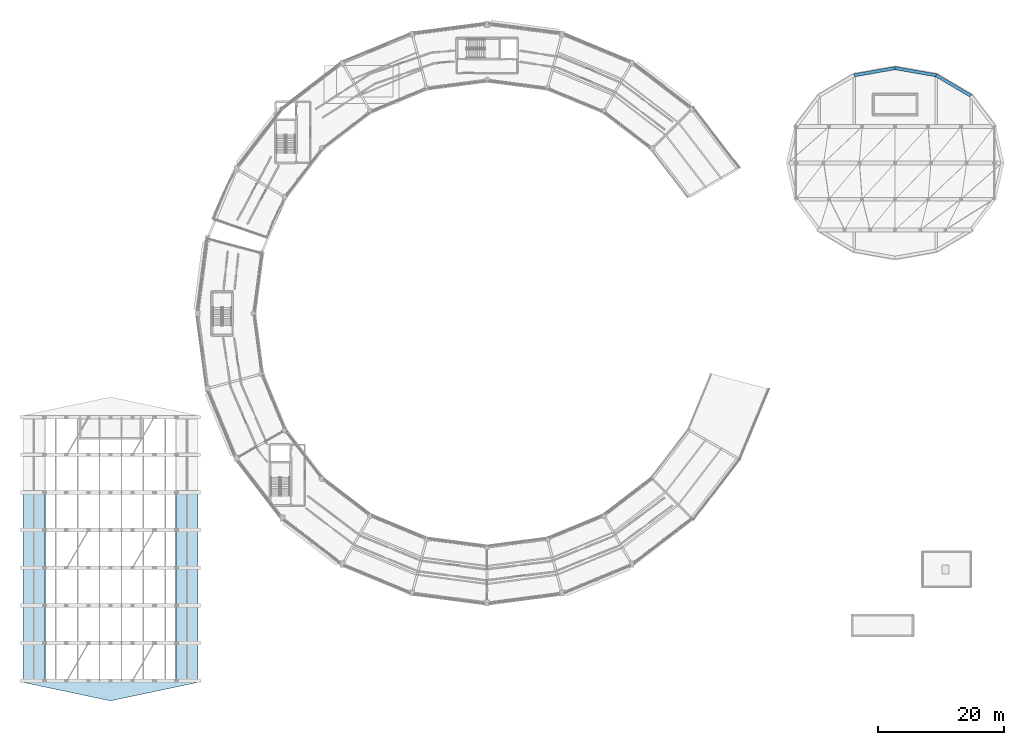
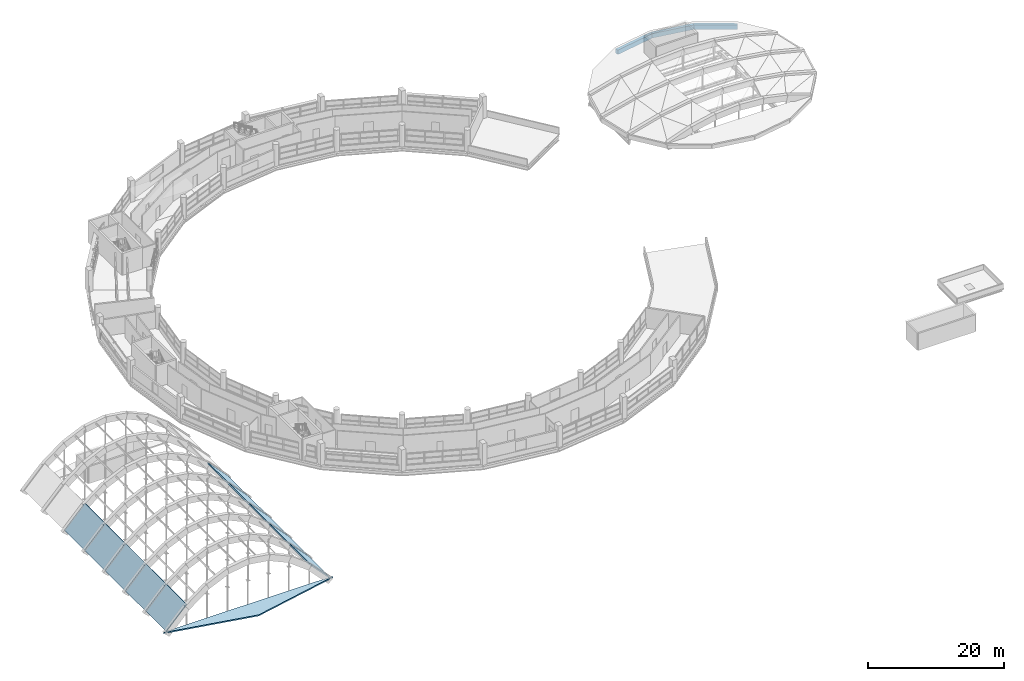
# One storey, part 66 of 88: 11 slabs, 3 beams, 1 element without a shape of its own.
"""IFC4 building model written with IfcOpenShell, lengths in metres."""

from ifc_helpers import new_model, si_unit, direction, frame, origin, origin_2d, place, context, subcontext, project, spatial, polyline, rectangle, outline, extrude, material, layer, layer_set, material_profile, profile_set, type_object, element, aggregate, save


model = new_model("IFC4")

# Units and contexts
model_context = context("Model", 3, precision=1e-05, world=origin(), true_north=direction((0.0, 1.0)))
body_context = subcontext(model_context, "Body", "Model", "MODEL_VIEW")
ifc_project = project(units=[si_unit("LENGTHUNIT", "METRE"), si_unit("AREAUNIT", "SQUARE_METRE"), si_unit("VOLUMEUNIT", "CUBIC_METRE"), si_unit("PLANEANGLEUNIT", "RADIAN"), si_unit("MASSUNIT", "GRAM", prefix="KILO")], contexts=[model_context])

# Site, building, storey
site_placement = place(None, origin())
site = spatial("IfcSite", under=ifc_project, at=site_placement, CompositionType="ELEMENT")
building_placement = place(site_placement, origin())
building = spatial("IfcBuilding", under=site, at=building_placement, Name="Vespera Passage Community Centre", CompositionType="ELEMENT")
storey_placement = place(building_placement, frame((0.0, 0.0, 16.5)))
storey = spatial("IfcBuildingStorey", under=building, at=storey_placement, Name="L04", CompositionType="ELEMENT", Elevation=16.5)

# Beams
ifc_material_1 = material(Name="Concrete f'c 35 MPa", Category="concrete")
ifc_material_profile = material_profile(ifc_material_1, rectangle(XDim=0.5, YDim=0.800048828125, at=origin_2d()), Name="RC500X800")
ifc_profile_set = profile_set([ifc_material_profile], Name="Concrete f'c 35 MPa")
beam_type = type_object("IfcBeamType", Name="BM-SP-500X800E", PredefinedType="SPANDREL", material=ifc_profile_set)
beam_placement = place(storey_placement, frame((155.091552734375, 100.17724609375, -0.60009765625), z_axis=(-0.861245535965, 0.508189065978, 0.0), x_axis=(-0.508189065978, -0.861245535965, 0.0)))
element("IfcBeam", 1, at=beam_placement, inside=storey, type_object=beam_type, Name="V2 L04 Perimeter Spandrel 3", PredefinedType="SPANDREL", context=body_context, shape_type="SweptSolid", body=[
    extrude(rectangle(XDim=0.5, YDim=0.800048828125, at=origin_2d()), origin(), (0.0, 0.0, 1.0), 6.44140625),
])
for number, where, z_axis, x_axis, name in (
    (2, (149.5439453125, 103.45068359375, -0.60009765625), (-0.984922333185, 0.172997102844, 0.0), (-0.172997102844, -0.984922333185, 0.0), "V2 L04 Perimeter Spandrel 4"),
    (3, (143.0, 104.60009765625, -0.60009765625), (-0.984922333185, -0.172997102844, 0.0), (0.172997102844, -0.984922333185, 0.0), "V2 L04 Perimeter Spandrel 5"),
):
    element("IfcBeam", number, at=place(storey_placement, frame(where, z_axis=z_axis, x_axis=x_axis)), inside=storey, type_object=beam_type, Name=name, PredefinedType="SPANDREL", context=body_context, shape_type="SweptSolid", body=[
        extrude(rectangle(XDim=0.5, YDim=0.800048828125, at=origin_2d()), origin(), (0.0, 0.0, 1.0), 6.64404296875),
    ])

# Roof, slabs
ifc_material_2 = material(Name="Concrete f'c 45 MPa", Category="concrete")
roof_type = type_object("IfcRoofType", Name="RF-VAULT-V1", PredefinedType="BARREL_ROOF", material=ifc_material_2)
roof_placement = place(storey_placement, origin())
roof = element("IfcRoof", 4, at=roof_placement, inside=storey, type_object=roof_type, Name="Main Hall Barrel-Vaulted Roof V1", PredefinedType="BARREL_ROOF")
ifc_material_3 = material(Name="Concrete f'c 35 MPa", Category="concrete")
ifc_layer_1 = layer(ifc_material_3, 0.219970703125)
ifc_layer_set_1 = layer_set([ifc_layer_1], Name="Concrete f'c 35 MPa")
slab_type_1 = type_object("IfcSlabType", Name="SL-ROOF-220E", PredefinedType="ROOF", material=ifc_layer_set_1)
slab_1_placement = place(storey_placement, frame((0.0, 0.0, -0.219970703125)))
slab_1 = element("IfcSlab", 5, at=slab_1_placement, inside=storey, type_object=slab_type_1, Name="V1 L04 S Apse Roof Slab", PredefinedType="ROOF", context=body_context, shape_type="SweptSolid", body=[
    extrude(outline(polyline([(3.590087890625, 6.841796875), (3.689697265625, 6.9599609375), (32.310302734375, 6.9599609375), (32.409912109375, 6.841796875), (18.0, 3.79443359375), (3.590087890625, 6.841796875)])), origin(), (0.0, 0.0, 1.0), 0.219970703125),
])
ifc_material_4 = material(Name="Concrete f'c 45 MPa", Category="concrete")
ifc_layer_2 = layer(ifc_material_4, 0.179931640625)
ifc_layer_set_2 = layer_set([ifc_layer_2], Name="Concrete f'c 45 MPa")
slab_type_2 = type_object("IfcSlabType", Name="SL-VAULT-180E", PredefinedType="ROOF", material=ifc_layer_set_2)
slab_2_placement = place(storey_placement, frame((4.050048828125, 7.0, 0.0), z_axis=(-0.725368683561, 0.0, 0.688360568967), x_axis=(0.688360568967, 0.0, 0.725368683561)))
slab_2 = element("IfcSlab", 6, at=slab_2_placement, inside=storey, type_object=slab_type_2, Name="Main Hall Barrel Vault Panel B1.1", PredefinedType="ROOF", context=body_context, shape_type="SweptSolid", body=[
    extrude(outline(polyline([(0.0, 0.0), (5.066456426108784, 0.0), (5.066456426108784, 6.0), (0.0, 6.0), (0.0, 0.0)])), origin(), (0.0, 0.0, -1.0), 0.179931640625),
])
slab_3_placement = place(storey_placement, frame((28.46240234375, 7.0, 3.675048828125), z_axis=(0.725368683561, 0.0, 0.688360568967), x_axis=(0.688360568967, 0.0, -0.725368683561)))
slab_3 = element("IfcSlab", 7, at=slab_3_placement, inside=storey, type_object=slab_type_2, Name="Main Hall Barrel Vault Panel B1.8", PredefinedType="ROOF", context=body_context, shape_type="SweptSolid", body=[
    extrude(outline(polyline([(0.0, 0.0), (5.066456426108784, 0.0), (5.066456426108784, 6.0), (0.0, 6.0), (0.0, 0.0)])), origin(), (0.0, 0.0, -1.0), 0.179931640625),
])
slab_4_placement = place(storey_placement, frame((4.050048828125, 13.0, 0.0), z_axis=(-0.725368683561, 0.0, 0.688360568967), x_axis=(0.688360568967, 0.0, 0.725368683561)))
slab_4 = element("IfcSlab", 8, at=slab_4_placement, inside=storey, type_object=slab_type_2, Name="Main Hall Barrel Vault Panel B2.1", PredefinedType="ROOF", context=body_context, shape_type="SweptSolid", body=[
    extrude(outline(polyline([(0.0, 0.0), (5.066456426108784, 0.0), (5.066456426108784, 6.0), (0.0, 6.0), (0.0, 0.0)])), origin(), (0.0, 0.0, -1.0), 0.179931640625),
])
slab_5_placement = place(storey_placement, frame((28.46240234375, 13.0, 3.675048828125), z_axis=(0.725368683561, 0.0, 0.688360568967), x_axis=(0.688360568967, 0.0, -0.725368683561)))
slab_5 = element("IfcSlab", 9, at=slab_5_placement, inside=storey, type_object=slab_type_2, Name="Main Hall Barrel Vault Panel B2.8", PredefinedType="ROOF", context=body_context, shape_type="SweptSolid", body=[
    extrude(outline(polyline([(0.0, 0.0), (5.066456426108784, 0.0), (5.066456426108784, 6.0), (0.0, 6.0), (0.0, 0.0)])), origin(), (0.0, 0.0, -1.0), 0.179931640625),
])
slab_6_placement = place(storey_placement, frame((4.050048828125, 19.0, 0.0), z_axis=(-0.725368683561, 0.0, 0.688360568967), x_axis=(0.688360568967, 0.0, 0.725368683561)))
slab_6 = element("IfcSlab", 10, at=slab_6_placement, inside=storey, type_object=slab_type_2, Name="Main Hall Barrel Vault Panel B3.1", PredefinedType="ROOF", context=body_context, shape_type="SweptSolid", body=[
    extrude(outline(polyline([(0.0, 0.0), (5.066456426108784, 0.0), (5.066456426108784, 6.0), (0.0, 6.0), (0.0, 0.0)])), origin(), (0.0, 0.0, -1.0), 0.179931640625),
])
slab_7_placement = place(storey_placement, frame((28.46240234375, 19.0, 3.675048828125), z_axis=(0.725368683561, 0.0, 0.688360568967), x_axis=(0.688360568967, 0.0, -0.725368683561)))
slab_7 = element("IfcSlab", 11, at=slab_7_placement, inside=storey, type_object=slab_type_2, Name="Main Hall Barrel Vault Panel B3.8", PredefinedType="ROOF", context=body_context, shape_type="SweptSolid", body=[
    extrude(outline(polyline([(0.0, 0.0), (5.066456426108784, 0.0), (5.066456426108784, 6.0), (0.0, 6.0), (0.0, 0.0)])), origin(), (0.0, 0.0, -1.0), 0.179931640625),
])
slab_8_placement = place(storey_placement, frame((4.050048828125, 25.0, 0.0), z_axis=(-0.725368683561, 0.0, 0.688360568967), x_axis=(0.688360568967, 0.0, 0.725368683561)))
slab_8 = element("IfcSlab", 12, at=slab_8_placement, inside=storey, type_object=slab_type_2, Name="Main Hall Barrel Vault Panel B4.1", PredefinedType="ROOF", context=body_context, shape_type="SweptSolid", body=[
    extrude(outline(polyline([(0.0, 0.0), (5.066456426108784, 0.0), (5.066456426108784, 6.0), (0.0, 6.0), (0.0, 0.0)])), origin(), (0.0, 0.0, -1.0), 0.179931640625),
])
slab_9_placement = place(storey_placement, frame((28.46240234375, 25.0, 3.675048828125), z_axis=(0.725368683561, 0.0, 0.688360568967), x_axis=(0.688360568967, 0.0, -0.725368683561)))
slab_9 = element("IfcSlab", 13, at=slab_9_placement, inside=storey, type_object=slab_type_2, Name="Main Hall Barrel Vault Panel B4.8", PredefinedType="ROOF", context=body_context, shape_type="SweptSolid", body=[
    extrude(outline(polyline([(0.0, 0.0), (5.066456426108784, 0.0), (5.066456426108784, 6.0), (0.0, 6.0), (0.0, 0.0)])), origin(), (0.0, 0.0, -1.0), 0.179931640625),
])
slab_10_placement = place(storey_placement, frame((4.050048828125, 31.0, 0.0), z_axis=(-0.725368683561, 0.0, 0.688360568967), x_axis=(0.688360568967, 0.0, 0.725368683561)))
slab_10 = element("IfcSlab", 14, at=slab_10_placement, inside=storey, type_object=slab_type_2, Name="Main Hall Barrel Vault Panel B5.1", PredefinedType="ROOF", context=body_context, shape_type="SweptSolid", body=[
    extrude(outline(polyline([(0.0, 0.0), (5.066456426108784, 0.0), (5.066456426108784, 6.0), (0.0, 6.0), (0.0, 0.0)])), origin(), (0.0, 0.0, -1.0), 0.179931640625),
])
slab_11_placement = place(storey_placement, frame((28.46240234375, 31.0, 3.675048828125), z_axis=(0.725368683561, 0.0, 0.688360568967), x_axis=(0.688360568967, 0.0, -0.725368683561)))
slab_11 = element("IfcSlab", 15, at=slab_11_placement, inside=storey, type_object=slab_type_2, Name="Main Hall Barrel Vault Panel B5.8", PredefinedType="ROOF", context=body_context, shape_type="SweptSolid", body=[
    extrude(outline(polyline([(0.0, 0.0), (5.066456426108784, 0.0), (5.066456426108784, 6.0), (0.0, 6.0), (0.0, 0.0)])), origin(), (0.0, 0.0, -1.0), 0.179931640625),
])
aggregate(roof, [slab_2, slab_3, slab_4, slab_5, slab_6, slab_7, slab_8, slab_9, slab_10, slab_11, slab_1])

save(model, "model.ifc")
